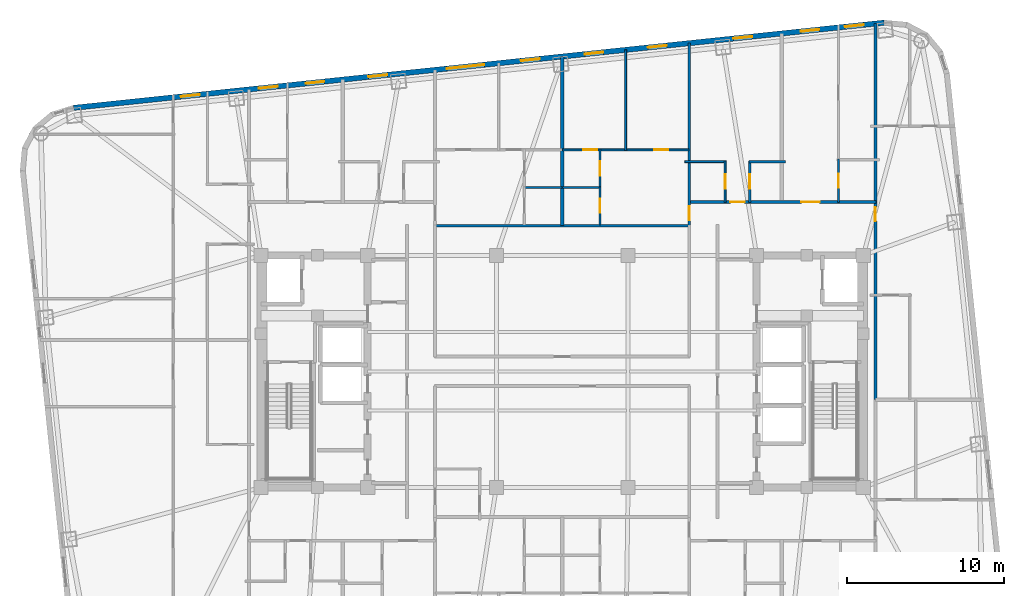
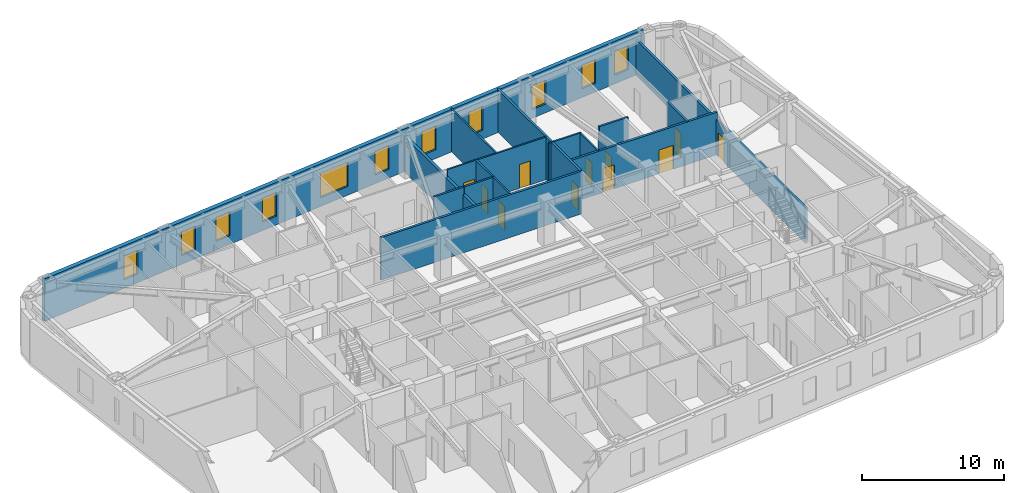
# One storey, part 8 of 11: 17 walls, 11 doors, 11 windows, 22 openings.
"""IFC4 building model written with IfcOpenShell, lengths in metres."""

from ifc_helpers import new_model, si_unit, direction, frame, frame_2d, origin, place, context, subcontext, project, spatial, rectangle, extrude, material, layer, layer_set, type_object, element, fill, save


model = new_model("IFC4")

# Units and contexts
model_context = context("Model", 3, precision=1e-05, world=origin(), true_north=direction((0.0, 1.0)))
body_context = subcontext(model_context, "Body", "Model", "MODEL_VIEW")
ifc_project = project(units=[si_unit("LENGTHUNIT", "METRE"), si_unit("AREAUNIT", "SQUARE_METRE"), si_unit("VOLUMEUNIT", "CUBIC_METRE"), si_unit("PLANEANGLEUNIT", "RADIAN"), si_unit("MASSUNIT", "GRAM", prefix="KILO")], contexts=[model_context])

# Site, building, storey
site_placement = place(None, origin())
site = spatial("IfcSite", under=ifc_project, at=site_placement, CompositionType="ELEMENT")
building_placement = place(site_placement, origin())
building = spatial("IfcBuilding", under=site, at=building_placement, Name="Voryun Gate Residences", CompositionType="ELEMENT")
storey_placement = place(building_placement, frame((0.0, 0.0, 175.5)))
storey = spatial("IfcBuildingStorey", under=building, at=storey_placement, Name="L43", CompositionType="ELEMENT", Elevation=175.5)

# Wall
ifc_material_1 = material(Name="Gypsum acoustic fireboard")
ifc_layer_1 = layer(ifc_material_1, 0.179931640625, Name="W_CORR_RATED_180")
ifc_layer_set_1 = layer_set([ifc_layer_1], Name="Gypsum acoustic fireboard")
wall_type_1 = type_object("IfcWallType", Name="W_CORR_RATED_180", PredefinedType="PARTITIONING", material=ifc_layer_set_1)
wall_1_placement = place(storey_placement, frame((-8.14990234375, 9.2900390625, 0.0), z_axis=(0.0, 0.0, 1.0), x_axis=(1.0, 0.0, 0.0)))
element("IfcWall", 1, at=wall_1_placement, inside=storey, type_object=wall_type_1, Name="Partition wall WP-L43-Z2N", PredefinedType="PARTITIONING", context=body_context, shape_type="SweptSolid", body=[
    extrude(rectangle(XDim=16.2998046875, YDim=0.179931640625, at=frame_2d((8.14990234375, 0.0))), origin(), (0.0, 0.0, 1.0), 3.64990234375),
])

# Wall, openings, doors
wall_2_placement = place(storey_placement, frame((8.080078125, 10.800048828125, 0.0), z_axis=(0.0, 0.0, 1.0), x_axis=(1.0, 0.0, 0.0)))
wall_2 = element("IfcWall", 2, at=wall_2_placement, inside=storey, type_object=wall_type_1, Name="Partition wall WP-L43-NCORR-E", PredefinedType="PARTITIONING", context=body_context, shape_type="SweptSolid", body=[
    extrude(rectangle(XDim=11.919921875, YDim=0.179931640625, at=frame_2d((5.9599609375, 0.0))), origin(), (0.0, 0.0, 1.0), 3.64990234375),
])
opening_1_placement = place(wall_2_placement, frame((2.6455078125, 0.0, 0.0)))
opening_1 = element("IfcOpeningElement", 3, at=opening_1_placement, cuts=wall_2, Name="Opening D-INT-2", PredefinedType="OPENING", context=body_context, shape_type="SweptSolid", body=[
    extrude(rectangle(XDim=0.89990234375, YDim=2.050048828125, at=frame_2d((0.449951171875, 1.02490234375))), frame((0.0, 0.099853515625, 0.0), z_axis=(0.0, -1.0, 0.0), x_axis=(1.0, 0.0, 0.0)), (0.0, 0.0, 1.0), 0.199951171875),
])
opening_2_placement = place(wall_2_placement, frame((7.178955078125, 0.0, 0.0)))
opening_2 = element("IfcOpeningElement", 4, at=opening_2_placement, cuts=wall_2, Name="Opening D-UNIT-1", PredefinedType="OPENING", context=body_context, shape_type="SweptSolid", body=[
    extrude(rectangle(XDim=1.14990234375, YDim=2.050048828125, at=frame_2d((0.574951171875, 1.02490234375))), frame((0.0, 0.099853515625, 0.0), z_axis=(0.0, -1.0, 0.0), x_axis=(1.0, 0.0, 0.0)), (0.0, 0.0, 1.0), 0.199951171875),
])
ifc_material_2 = material(Name="Architectural oak veneer")
door_type_1 = type_object("IfcDoorType", Name="DR_INT_BATH_900", OperationType="NOTDEFINED", PredefinedType="DOOR", material=ifc_material_2)
door_1_placement = place(opening_1_placement, origin())
door_1 = element("IfcDoor", 5, at=door_1_placement, inside=storey, type_object=door_type_1, Name="Door DR-L43-NENT-4", OperationType="SINGLE_SWING_RIGHT", OverallHeight=2.050048828125, OverallWidth=0.89990234375, PredefinedType="DOOR", context=body_context, shape_type="SweptSolid", body=[
    extrude(rectangle(XDim=0.89990234375, YDim=2.050048828125, at=frame_2d((0.449951171875, 1.02490234375))), frame((0.0, 0.02490234375, 0.0), z_axis=(0.0, -1.0, 0.0), x_axis=(1.0, 0.0, 0.0)), (0.0, 0.0, 1.0), 0.050048828125),
])
fill(opening_1, door_1)
ifc_material_3 = material(Name="Armoured timber-clad fire door", Category="wood")
door_type_2 = type_object("IfcDoorType", Name="DR_UNIT_ENTRY_1150", OperationType="NOTDEFINED", PredefinedType="DOOR", material=ifc_material_3)
door_2_placement = place(opening_2_placement, origin())
door_2 = element("IfcDoor", 6, at=door_2_placement, inside=storey, type_object=door_type_2, Name="Door DR-L43-NENT-5", OperationType="SINGLE_SWING_LEFT", OverallHeight=2.050048828125, OverallWidth=1.14990234375, PredefinedType="DOOR", context=body_context, shape_type="SweptSolid", body=[
    extrude(rectangle(XDim=1.14990234375, YDim=2.050048828125, at=frame_2d((0.574951171875, 1.02490234375))), frame((0.0, 0.02490234375, 0.0), z_axis=(0.0, -1.0, 0.0), x_axis=(1.0, 0.0, 0.0)), (0.0, 0.0, 1.0), 0.050048828125),
])
fill(opening_2, door_2)

# Wall, opening, door
wall_3_placement = place(storey_placement, frame((8.10009765625, 9.2900390625, 0.0), z_axis=(0.0, 0.0, 1.0), x_axis=(0.0, 1.0, 0.0)))
wall_3 = element("IfcWall", 7, at=wall_3_placement, inside=storey, type_object=wall_type_1, Name="Partition wall WP-L43-NZV-2", PredefinedType="PARTITIONING", context=body_context, shape_type="SweptSolid", body=[
    extrude(rectangle(XDim=11.63916015625, YDim=0.179931640625, at=frame_2d((5.819580078125, 0.0))), origin(), (0.0, 0.0, 1.0), 3.64990234375),
])
opening_3_placement = place(wall_3_placement, frame((0.349609375, 0.0, 0.0)))
opening_3 = element("IfcOpeningElement", 8, at=opening_3_placement, cuts=wall_3, Name="Opening D-INT-2", PredefinedType="OPENING", context=body_context, shape_type="SweptSolid", body=[
    extrude(rectangle(XDim=0.89990234375, YDim=2.050048828125, at=frame_2d((0.449951171875, 1.02490234375))), frame((0.0, 0.099853515625, 0.0), z_axis=(0.0, -1.0, 0.0), x_axis=(1.0, 0.0, 0.0)), (0.0, 0.0, 1.0), 0.199951171875),
])
door_3_placement = place(opening_3_placement, origin())
door_3 = element("IfcDoor", 9, at=door_3_placement, inside=storey, type_object=door_type_1, Name="Door DR-L43-NZENT-2", OperationType="SINGLE_SWING_RIGHT", OverallHeight=2.050048828125, OverallWidth=0.89990234375, PredefinedType="DOOR", context=body_context, shape_type="SweptSolid", body=[
    extrude(rectangle(XDim=0.89990234375, YDim=2.050048828125, at=frame_2d((0.449951171875, 1.02490234375))), frame((0.0, 0.02490234375, 0.0), z_axis=(0.0, -1.0, 0.0), x_axis=(1.0, 0.0, 0.0)), (0.0, 0.0, 1.0), 0.050048828125),
])
fill(opening_3, door_3)

wall_4_placement = place(storey_placement, frame((19.969970703125, -1.800048828125, 0.0), z_axis=(0.0, 0.0, 1.0), x_axis=(0.0, 1.0, 0.0)))
wall_4 = element("IfcWall", 10, at=wall_4_placement, inside=storey, type_object=wall_type_1, Name="Partition wall WP-L43-ECOR2", PredefinedType="PARTITIONING", context=body_context, shape_type="SweptSolid", body=[
    extrude(rectangle(XDim=23.976806640625, YDim=0.179931640625, at=frame_2d((11.98828125, 0.0))), origin(), (0.0, 0.0, 1.0), 3.0400390625),
])
opening_4_placement = place(wall_4_placement, frame((11.380126953125, 0.0, 0.0)))
opening_4 = element("IfcOpeningElement", 11, at=opening_4_placement, cuts=wall_4, Name="Opening D-INT-2", PredefinedType="OPENING", context=body_context, shape_type="SweptSolid", body=[
    extrude(rectangle(XDim=0.89990234375, YDim=2.050048828125, at=frame_2d((0.449951171875, 1.02490234375))), frame((0.0, 0.099853515625, 0.0), z_axis=(0.0, -1.0, 0.0), x_axis=(1.0, 0.0, 0.0)), (0.0, 0.0, 1.0), 0.199951171875),
])
door_4_placement = place(opening_4_placement, origin())
door_4 = element("IfcDoor", 12, at=door_4_placement, inside=storey, type_object=door_type_1, Name="Door DR-L43-EE2", OperationType="SINGLE_SWING_RIGHT", OverallHeight=2.050048828125, OverallWidth=0.89990234375, PredefinedType="DOOR", context=body_context, shape_type="SweptSolid", body=[
    extrude(rectangle(XDim=0.89990234375, YDim=2.050048828125, at=frame_2d((0.449951171875, 1.02490234375))), frame((0.0, 0.02490234375, 0.0), z_axis=(0.0, -1.0, 0.0), x_axis=(1.0, 0.0, 0.0)), (0.0, 0.0, 1.0), 0.050048828125),
])
fill(opening_4, door_4)

# Wall, openings, windows
ifc_material_4 = material(Name="Charcoal terracotta masonry", Category="masonry")
ifc_layer_2 = layer(ifc_material_4, 0.340087890625, Name="W_EXT_TERRACOTTA_340")
ifc_layer_set_2 = layer_set([ifc_layer_2], Name="Charcoal terracotta masonry")
wall_type_2 = type_object("IfcWallType", Name="W_EXT_TERRACOTTA_340", PredefinedType="ELEMENTEDWALL", material=ifc_layer_set_2)
wall_5_placement = place(storey_placement, frame((-31.155517578125, 16.80322265625, 0.0), z_axis=(0.0, 0.0, 1.0), x_axis=(0.99452209583, 0.104526555986, 0.0)))
wall_5 = element("IfcWall", 13, at=wall_5_placement, inside=storey, type_object=wall_type_2, Name="Exterior wall WEXT-L43-11", PredefinedType="ELEMENTEDWALL", context=body_context, shape_type="SweptSolid", body=[
    extrude(rectangle(XDim=51.966552734375, YDim=0.340087890625, at=frame_2d((25.9833984375, 0.0))), origin(), (0.0, 0.0, 1.0), 3.64990234375),
])
opening_5_placement = place(wall_5_placement, frame((23.93310546875, 0.0, 0.75)))
opening_5 = element("IfcOpeningElement", 14, at=opening_5_placement, cuts=wall_5, Name="Opening WN2", PredefinedType="OPENING", context=body_context, shape_type="SweptSolid", body=[
    extrude(rectangle(XDim=2.39990234375, YDim=2.10009765625, at=frame_2d((1.199951171875, 1.050048828125))), frame((0.0, 0.179931640625, 0.0), z_axis=(0.0, -1.0, 0.0), x_axis=(1.0, 0.0, 0.0)), (0.0, 0.0, 1.0), 0.360107421875),
])
opening_6_placement = place(wall_5_placement, frame((14.883544921875, 0.0, 0.75)))
opening_6 = element("IfcOpeningElement", 15, at=opening_6_placement, cuts=wall_5, Name="Opening WN6", PredefinedType="OPENING", context=body_context, shape_type="SweptSolid", body=[
    extrude(rectangle(XDim=1.199951171875, YDim=2.050048828125, at=frame_2d((0.60009765625, 1.02490234375))), frame((0.0, 0.179931640625, 0.0), z_axis=(0.0, -1.0, 0.0), x_axis=(1.0, 0.0, 0.0)), (0.0, 0.0, 1.0), 0.360107421875),
])
opening_7_placement = place(wall_5_placement, frame((11.882080078125, 0.0, 0.75)))
opening_7 = element("IfcOpeningElement", 16, at=opening_7_placement, cuts=wall_5, Name="Opening WN6", PredefinedType="OPENING", context=body_context, shape_type="SweptSolid", body=[
    extrude(rectangle(XDim=1.199951171875, YDim=2.050048828125, at=frame_2d((0.60009765625, 1.02490234375))), frame((0.0, 0.179931640625, 0.0), z_axis=(0.0, -1.0, 0.0), x_axis=(1.0, 0.0, 0.0)), (0.0, 0.0, 1.0), 0.360107421875),
])
opening_8_placement = place(wall_5_placement, frame((18.908935546875, 0.0, 0.75)))
opening_8 = element("IfcOpeningElement", 17, at=opening_8_placement, cuts=wall_5, Name="Opening WN6", PredefinedType="OPENING", context=body_context, shape_type="SweptSolid", body=[
    extrude(rectangle(XDim=1.199951171875, YDim=2.050048828125, at=frame_2d((0.60009765625, 1.02490234375))), frame((0.0, 0.179931640625, 0.0), z_axis=(0.0, -1.0, 0.0), x_axis=(1.0, 0.0, 0.0)), (0.0, 0.0, 1.0), 0.360107421875),
])
opening_9_placement = place(wall_5_placement, frame((42.300537109375, 0.0, 0.75)))
opening_9 = element("IfcOpeningElement", 18, at=opening_9_placement, cuts=wall_5, Name="Opening WN6", PredefinedType="OPENING", context=body_context, shape_type="SweptSolid", body=[
    extrude(rectangle(XDim=1.199951171875, YDim=2.050048828125, at=frame_2d((0.60009765625, 1.02490234375))), frame((0.0, 0.179931640625, 0.0), z_axis=(0.0, -1.0, 0.0), x_axis=(1.0, 0.0, 0.0)), (0.0, 0.0, 1.0), 0.360107421875),
])
opening_10_placement = place(wall_5_placement, frame((46.616455078125, 0.0, 0.75)))
opening_10 = element("IfcOpeningElement", 19, at=opening_10_placement, cuts=wall_5, Name="Opening WN6", PredefinedType="OPENING", context=body_context, shape_type="SweptSolid", body=[
    extrude(rectangle(XDim=1.199951171875, YDim=2.050048828125, at=frame_2d((0.60009765625, 1.02490234375))), frame((0.0, 0.179931640625, 0.0), z_axis=(0.0, -1.0, 0.0), x_axis=(1.0, 0.0, 0.0)), (0.0, 0.0, 1.0), 0.360107421875),
])
opening_11_placement = place(wall_5_placement, frame((49.45751953125, 0.0, 0.75)))
opening_11 = element("IfcOpeningElement", 20, at=opening_11_placement, cuts=wall_5, Name="Opening WN6", PredefinedType="OPENING", context=body_context, shape_type="SweptSolid", body=[
    extrude(rectangle(XDim=1.199951171875, YDim=2.050048828125, at=frame_2d((0.60009765625, 1.02490234375))), frame((0.0, 0.179931640625, 0.0), z_axis=(0.0, -1.0, 0.0), x_axis=(1.0, 0.0, 0.0)), (0.0, 0.0, 1.0), 0.360107421875),
])
opening_12_placement = place(wall_5_placement, frame((28.68359375, 0.0, 0.75)))
opening_12 = element("IfcOpeningElement", 21, at=opening_12_placement, cuts=wall_5, Name="Opening WN6", PredefinedType="OPENING", context=body_context, shape_type="SweptSolid", body=[
    extrude(rectangle(XDim=1.199951171875, YDim=2.050048828125, at=frame_2d((0.60009765625, 1.02490234375))), frame((0.0, 0.179931640625, 0.0), z_axis=(0.0, -1.0, 0.0), x_axis=(1.0, 0.0, 0.0)), (0.0, 0.0, 1.0), 0.360107421875),
])
opening_13_placement = place(wall_5_placement, frame((32.76611328125, 0.0, 0.75)))
opening_13 = element("IfcOpeningElement", 22, at=opening_13_placement, cuts=wall_5, Name="Opening WN6", PredefinedType="OPENING", context=body_context, shape_type="SweptSolid", body=[
    extrude(rectangle(XDim=1.199951171875, YDim=2.050048828125, at=frame_2d((0.60009765625, 1.02490234375))), frame((0.0, 0.179931640625, 0.0), z_axis=(0.0, -1.0, 0.0), x_axis=(1.0, 0.0, 0.0)), (0.0, 0.0, 1.0), 0.360107421875),
])
opening_14_placement = place(wall_5_placement, frame((36.828369140625, 0.0, 0.75)))
opening_14 = element("IfcOpeningElement", 23, at=opening_14_placement, cuts=wall_5, Name="Opening WN6", PredefinedType="OPENING", context=body_context, shape_type="SweptSolid", body=[
    extrude(rectangle(XDim=1.199951171875, YDim=2.050048828125, at=frame_2d((0.60009765625, 1.02490234375))), frame((0.0, 0.179931640625, 0.0), z_axis=(0.0, -1.0, 0.0), x_axis=(1.0, 0.0, 0.0)), (0.0, 0.0, 1.0), 0.360107421875),
])
opening_15_placement = place(wall_5_placement, frame((6.88427734375, 0.0, 0.75)))
opening_15 = element("IfcOpeningElement", 24, at=opening_15_placement, cuts=wall_5, Name="Opening WN6", PredefinedType="OPENING", context=body_context, shape_type="SweptSolid", body=[
    extrude(rectangle(XDim=1.199951171875, YDim=2.050048828125, at=frame_2d((0.60009765625, 1.02490234375))), frame((0.0, 0.179931640625, 0.0), z_axis=(0.0, -1.0, 0.0), x_axis=(1.0, 0.0, 0.0)), (0.0, 0.0, 1.0), 0.360107421875),
])
ifc_material_5 = material(Name="Laminated low-E glass", Category="glass")
window_type_1 = type_object("IfcWindowType", Name="WN_POD_SLOT_1200", PartitioningType="SINGLE_PANEL", PredefinedType="WINDOW", material=ifc_material_5)
window_1_placement = place(opening_6_placement, origin())
window_1 = element("IfcWindow", 25, at=window_1_placement, inside=storey, type_object=window_type_1, Name="Window WN-L43-DWFIX-01", OverallHeight=2.050048828125, OverallWidth=1.199951171875, PartitioningType="SINGLE_PANEL", PredefinedType="WINDOW", context=body_context, shape_type="SweptSolid", body=[
    extrude(rectangle(XDim=1.199951171875, YDim=2.050048828125, at=frame_2d((0.60009765625, 1.02490234375))), frame((0.0, 0.030029296875, 0.0), z_axis=(0.0, -1.0, 0.0), x_axis=(1.0, 0.0, 0.0)), (0.0, 0.0, 1.0), 0.06005859375),
])
fill(opening_6, window_1)
window_2_placement = place(opening_7_placement, origin())
window_2 = element("IfcWindow", 26, at=window_2_placement, inside=storey, type_object=window_type_1, Name="Window WN-L43-DWFIX-02", OverallHeight=2.050048828125, OverallWidth=1.199951171875, PartitioningType="SINGLE_PANEL", PredefinedType="WINDOW", context=body_context, shape_type="SweptSolid", body=[
    extrude(rectangle(XDim=1.199951171875, YDim=2.050048828125, at=frame_2d((0.60009765625, 1.02490234375))), frame((0.0, 0.030029296875, 0.0), z_axis=(0.0, -1.0, 0.0), x_axis=(1.0, 0.0, 0.0)), (0.0, 0.0, 1.0), 0.06005859375),
])
fill(opening_7, window_2)
window_3_placement = place(opening_8_placement, origin())
window_3 = element("IfcWindow", 27, at=window_3_placement, inside=storey, type_object=window_type_1, Name="Window WN-L43-DWFIX-03", OverallHeight=2.050048828125, OverallWidth=1.199951171875, PartitioningType="SINGLE_PANEL", PredefinedType="WINDOW", context=body_context, shape_type="SweptSolid", body=[
    extrude(rectangle(XDim=1.199951171875, YDim=2.050048828125, at=frame_2d((0.60009765625, 1.02490234375))), frame((0.0, 0.030029296875, 0.0), z_axis=(0.0, -1.0, 0.0), x_axis=(1.0, 0.0, 0.0)), (0.0, 0.0, 1.0), 0.06005859375),
])
fill(opening_8, window_3)
window_4_placement = place(opening_9_placement, origin())
window_4 = element("IfcWindow", 28, at=window_4_placement, inside=storey, type_object=window_type_1, Name="Window WN-L43-DWFIX-04", OverallHeight=2.050048828125, OverallWidth=1.199951171875, PartitioningType="SINGLE_PANEL", PredefinedType="WINDOW", context=body_context, shape_type="SweptSolid", body=[
    extrude(rectangle(XDim=1.199951171875, YDim=2.050048828125, at=frame_2d((0.60009765625, 1.02490234375))), frame((0.0, 0.030029296875, 0.0), z_axis=(0.0, -1.0, 0.0), x_axis=(1.0, 0.0, 0.0)), (0.0, 0.0, 1.0), 0.06005859375),
])
fill(opening_9, window_4)
window_5_placement = place(opening_10_placement, origin())
window_5 = element("IfcWindow", 29, at=window_5_placement, inside=storey, type_object=window_type_1, Name="Window WN-L43-DWFIX-05", OverallHeight=2.050048828125, OverallWidth=1.199951171875, PartitioningType="SINGLE_PANEL", PredefinedType="WINDOW", context=body_context, shape_type="SweptSolid", body=[
    extrude(rectangle(XDim=1.199951171875, YDim=2.050048828125, at=frame_2d((0.60009765625, 1.02490234375))), frame((0.0, 0.030029296875, 0.0), z_axis=(0.0, -1.0, 0.0), x_axis=(1.0, 0.0, 0.0)), (0.0, 0.0, 1.0), 0.06005859375),
])
fill(opening_10, window_5)
window_6_placement = place(opening_11_placement, origin())
window_6 = element("IfcWindow", 30, at=window_6_placement, inside=storey, type_object=window_type_1, Name="Window WN-L43-DWFIX-06", OverallHeight=2.050048828125, OverallWidth=1.199951171875, PartitioningType="SINGLE_PANEL", PredefinedType="WINDOW", context=body_context, shape_type="SweptSolid", body=[
    extrude(rectangle(XDim=1.199951171875, YDim=2.050048828125, at=frame_2d((0.60009765625, 1.02490234375))), frame((0.0, 0.030029296875, 0.0), z_axis=(0.0, -1.0, 0.0), x_axis=(1.0, 0.0, 0.0)), (0.0, 0.0, 1.0), 0.06005859375),
])
fill(opening_11, window_6)
window_7_placement = place(opening_12_placement, origin())
window_7 = element("IfcWindow", 31, at=window_7_placement, inside=storey, type_object=window_type_1, Name="Window WN-L43-DWFIX-07", OverallHeight=2.050048828125, OverallWidth=1.199951171875, PartitioningType="SINGLE_PANEL", PredefinedType="WINDOW", context=body_context, shape_type="SweptSolid", body=[
    extrude(rectangle(XDim=1.199951171875, YDim=2.050048828125, at=frame_2d((0.60009765625, 1.02490234375))), frame((0.0, 0.030029296875, 0.0), z_axis=(0.0, -1.0, 0.0), x_axis=(1.0, 0.0, 0.0)), (0.0, 0.0, 1.0), 0.06005859375),
])
fill(opening_12, window_7)
window_8_placement = place(opening_13_placement, origin())
window_8 = element("IfcWindow", 32, at=window_8_placement, inside=storey, type_object=window_type_1, Name="Window WN-L43-DWFIX-08", OverallHeight=2.050048828125, OverallWidth=1.199951171875, PartitioningType="SINGLE_PANEL", PredefinedType="WINDOW", context=body_context, shape_type="SweptSolid", body=[
    extrude(rectangle(XDim=1.199951171875, YDim=2.050048828125, at=frame_2d((0.60009765625, 1.02490234375))), frame((0.0, 0.030029296875, 0.0), z_axis=(0.0, -1.0, 0.0), x_axis=(1.0, 0.0, 0.0)), (0.0, 0.0, 1.0), 0.06005859375),
])
fill(opening_13, window_8)
window_9_placement = place(opening_14_placement, origin())
window_9 = element("IfcWindow", 33, at=window_9_placement, inside=storey, type_object=window_type_1, Name="Window WN-L43-DWFIX-09", OverallHeight=2.050048828125, OverallWidth=1.199951171875, PartitioningType="SINGLE_PANEL", PredefinedType="WINDOW", context=body_context, shape_type="SweptSolid", body=[
    extrude(rectangle(XDim=1.199951171875, YDim=2.050048828125, at=frame_2d((0.60009765625, 1.02490234375))), frame((0.0, 0.030029296875, 0.0), z_axis=(0.0, -1.0, 0.0), x_axis=(1.0, 0.0, 0.0)), (0.0, 0.0, 1.0), 0.06005859375),
])
fill(opening_14, window_9)
window_10_placement = place(opening_15_placement, origin())
window_10 = element("IfcWindow", 34, at=window_10_placement, inside=storey, type_object=window_type_1, Name="Window WN-L43-DWFIX-23", OverallHeight=2.050048828125, OverallWidth=1.199951171875, PartitioningType="SINGLE_PANEL", PredefinedType="WINDOW", context=body_context, shape_type="SweptSolid", body=[
    extrude(rectangle(XDim=1.199951171875, YDim=2.050048828125, at=frame_2d((0.60009765625, 1.02490234375))), frame((0.0, 0.030029296875, 0.0), z_axis=(0.0, -1.0, 0.0), x_axis=(1.0, 0.0, 0.0)), (0.0, 0.0, 1.0), 0.06005859375),
])
fill(opening_15, window_10)
ifc_material_6 = material(Name="Laminated low-E glass", Category="glass")
window_type_2 = type_object("IfcWindowType", Name="WN_RES_WIDE_2400", PartitioningType="SINGLE_PANEL", PredefinedType="WINDOW", material=ifc_material_6)
window_11_placement = place(opening_5_placement, origin())
window_11 = element("IfcWindow", 35, at=window_11_placement, inside=storey, type_object=window_type_2, Name="Window WN-WEXT-L43-11-02", OverallHeight=2.10009765625, OverallWidth=2.39990234375, PartitioningType="SINGLE_PANEL", PredefinedType="WINDOW", context=body_context, shape_type="SweptSolid", body=[
    extrude(rectangle(XDim=2.39990234375, YDim=2.10009765625, at=frame_2d((1.199951171875, 1.050048828125))), frame((0.0, 0.030029296875, 0.0), z_axis=(0.0, -1.0, 0.0), x_axis=(1.0, 0.0, 0.0)), (0.0, 0.0, 1.0), 0.06005859375),
])
fill(opening_5, window_11)

# Wall
ifc_material_7 = material(Name="Concrete C40/50", Category="concrete")
ifc_layer_3 = layer(ifc_material_7, 0.219970703125, Name="W_PARTY_ACOUSTIC_220")
ifc_layer_set_3 = layer_set([ifc_layer_3], Name="Concrete C40/50")
wall_type_3 = type_object("IfcWallType", Name="W_PARTY_ACOUSTIC_220", PredefinedType="PARTITIONING", material=ifc_layer_set_3)
wall_6_placement = place(storey_placement, frame((0.0, 9.2900390625, 0.0), z_axis=(0.0, 0.0, 1.0), x_axis=(0.0, 1.0, 0.0)))
element("IfcWall", 36, at=wall_6_placement, inside=storey, type_object=wall_type_3, Name="Partition wall WP-L43-NZMID", PredefinedType="PARTITIONING", context=body_context, shape_type="SweptSolid", body=[
    extrude(rectangle(XDim=10.787841796875, YDim=0.219970703125, at=frame_2d((5.39404296875, 0.0))), origin(), (0.0, 0.0, 1.0), 3.0400390625),
])

# Wall, opening, door
ifc_material_8 = material(Name="Gypsum acoustic partition")
ifc_layer_4 = layer(ifc_material_8, 0.125, Name="W_UNIT_PART_125")
ifc_layer_set_4 = layer_set([ifc_layer_4], Name="Gypsum acoustic partition")
wall_type_4 = type_object("IfcWallType", Name="W_UNIT_PART_125", PredefinedType="PARTITIONING", material=ifc_layer_set_4)
wall_7_placement = place(storey_placement, frame((10.389892578125, 10.780029296875, 0.0), z_axis=(0.0, 0.0, 1.0), x_axis=(0.0, 1.0, 0.0)))
wall_7 = element("IfcWall", 37, at=wall_7_placement, inside=storey, type_object=wall_type_4, Name="Partition wall WP-L43-N4-CVK", PredefinedType="PARTITIONING", context=body_context, shape_type="SweptSolid", body=[
    extrude(rectangle(XDim=2.64990234375, YDim=0.125, at=frame_2d((1.324951171875, 0.0))), origin(), (0.0, 0.0, 1.0), 3.64990234375),
])
opening_16_placement = place(wall_7_placement, frame((0.875, 0.0, 0.0)))
opening_16 = element("IfcOpeningElement", 38, at=opening_16_placement, cuts=wall_7, Name="Opening D-INT-2", PredefinedType="OPENING", context=body_context, shape_type="SweptSolid", body=[
    extrude(rectangle(XDim=0.89990234375, YDim=2.050048828125, at=frame_2d((0.449951171875, 1.02490234375))), frame((0.0, 0.072509765625, 0.0), z_axis=(0.0, -1.0, 0.0), x_axis=(1.0, 0.0, 0.0)), (0.0, 0.0, 1.0), 0.14501953125),
])
door_5_placement = place(opening_16_placement, origin())
door_5 = element("IfcDoor", 39, at=door_5_placement, inside=storey, type_object=door_type_1, Name="Door DR-L43-N4-DK", OperationType="SINGLE_SWING_LEFT", OverallHeight=2.050048828125, OverallWidth=0.89990234375, PredefinedType="DOOR", context=body_context, shape_type="SweptSolid", body=[
    extrude(rectangle(XDim=0.89990234375, YDim=2.050048828125, at=frame_2d((0.449951171875, 1.02490234375))), frame((0.0, 0.02490234375, 0.0), z_axis=(0.0, -1.0, 0.0), x_axis=(1.0, 0.0, 0.0)), (0.0, 0.0, 1.0), 0.050048828125),
])
fill(opening_16, door_5)

# Wall
wall_8_placement = place(storey_placement, frame((7.820068359375, 13.3701171875, 0.0), z_axis=(0.0, 0.0, 1.0), x_axis=(1.0, 0.0, 0.0)))
element("IfcWall", 40, at=wall_8_placement, inside=storey, type_object=wall_type_4, Name="Partition wall WP-L43-N4-CHK", PredefinedType="PARTITIONING", context=body_context, shape_type="SweptSolid", body=[
    extrude(rectangle(XDim=2.6298828125, YDim=0.125, at=frame_2d((1.31494140625, 0.0))), origin(), (0.0, 0.0, 1.0), 3.64990234375),
])

# Wall, openings, doors
wall_9_placement = place(storey_placement, frame((0.02001953125, 14.1298828125, 0.0), z_axis=(0.0, 0.0, 1.0), x_axis=(1.0, 0.0, 0.0)))
wall_9 = element("IfcWall", 41, at=wall_9_placement, inside=storey, type_object=wall_type_4, Name="Partition wall WP-L43-NC2-HZ", PredefinedType="PARTITIONING", context=body_context, shape_type="SweptSolid", body=[
    extrude(rectangle(XDim=8.06005859375, YDim=0.125, at=frame_2d((4.030029296875, 0.0))), origin(), (0.0, 0.0, 1.0), 3.64990234375),
])
opening_17_placement = place(wall_9_placement, frame((1.3232421875, 0.0, 0.0)))
opening_17 = element("IfcOpeningElement", 42, at=opening_17_placement, cuts=wall_9, Name="Opening D-INT-2", PredefinedType="OPENING", context=body_context, shape_type="SweptSolid", body=[
    extrude(rectangle(XDim=0.89990234375, YDim=2.050048828125, at=frame_2d((0.449951171875, 1.02490234375))), frame((0.0, 0.072509765625, 0.0), z_axis=(0.0, -1.0, 0.0), x_axis=(1.0, 0.0, 0.0)), (0.0, 0.0, 1.0), 0.14501953125),
])
opening_18_placement = place(wall_9_placement, frame((5.8369140625, 0.0, 0.0)))
opening_18 = element("IfcOpeningElement", 43, at=opening_18_placement, cuts=wall_9, Name="Opening D-INT-2", PredefinedType="OPENING", context=body_context, shape_type="SweptSolid", body=[
    extrude(rectangle(XDim=0.89990234375, YDim=2.050048828125, at=frame_2d((0.449951171875, 1.02490234375))), frame((0.0, 0.072509765625, 0.0), z_axis=(0.0, -1.0, 0.0), x_axis=(1.0, 0.0, 0.0)), (0.0, 0.0, 1.0), 0.14501953125),
])
door_6_placement = place(opening_17_placement, origin())
door_6 = element("IfcDoor", 44, at=door_6_placement, inside=storey, type_object=door_type_1, Name="Door DR-L43-NC2-DMB", OperationType="SINGLE_SWING_LEFT", OverallHeight=2.050048828125, OverallWidth=0.89990234375, PredefinedType="DOOR", context=body_context, shape_type="SweptSolid", body=[
    extrude(rectangle(XDim=0.89990234375, YDim=2.050048828125, at=frame_2d((0.449951171875, 1.02490234375))), frame((0.0, 0.02490234375, 0.0), z_axis=(0.0, -1.0, 0.0), x_axis=(1.0, 0.0, 0.0)), (0.0, 0.0, 1.0), 0.050048828125),
])
fill(opening_17, door_6)
door_7_placement = place(opening_18_placement, origin())
door_7 = element("IfcDoor", 45, at=door_7_placement, inside=storey, type_object=door_type_1, Name="Door DR-L43-NC2-DBD2", OperationType="SINGLE_SWING_RIGHT", OverallHeight=2.050048828125, OverallWidth=0.89990234375, PredefinedType="DOOR", context=body_context, shape_type="SweptSolid", body=[
    extrude(rectangle(XDim=0.89990234375, YDim=2.050048828125, at=frame_2d((0.449951171875, 1.02490234375))), frame((0.0, 0.02490234375, 0.0), z_axis=(0.0, -1.0, 0.0), x_axis=(1.0, 0.0, 0.0)), (0.0, 0.0, 1.0), 0.050048828125),
])
fill(opening_18, door_7)

# Wall, opening, door
wall_10_placement = place(storey_placement, frame((2.409912109375, 9.35009765625, 0.0), z_axis=(0.0, 0.0, 1.0), x_axis=(0.0, 1.0, 0.0)))
wall_10 = element("IfcWall", 46, at=wall_10_placement, inside=storey, type_object=wall_type_4, Name="Partition wall WP-L43-NC2-VK1", PredefinedType="PARTITIONING", context=body_context, shape_type="SweptSolid", body=[
    extrude(rectangle(XDim=2.409912109375, YDim=0.125, at=frame_2d((1.205078125, 0.0))), origin(), (0.0, 0.0, 1.0), 3.64990234375),
])
opening_19_placement = place(wall_10_placement, frame((0.7548828125, 0.0, 0.0)))
opening_19 = element("IfcOpeningElement", 47, at=opening_19_placement, cuts=wall_10, Name="Opening D-INT-2", PredefinedType="OPENING", context=body_context, shape_type="SweptSolid", body=[
    extrude(rectangle(XDim=0.89990234375, YDim=2.050048828125, at=frame_2d((0.449951171875, 1.02490234375))), frame((0.0, 0.072509765625, 0.0), z_axis=(0.0, -1.0, 0.0), x_axis=(1.0, 0.0, 0.0)), (0.0, 0.0, 1.0), 0.14501953125),
])
door_8_placement = place(opening_19_placement, origin())
door_8 = element("IfcDoor", 48, at=door_8_placement, inside=storey, type_object=door_type_1, Name="Door DR-L43-NC2-DK", OperationType="SINGLE_SWING_LEFT", OverallHeight=2.050048828125, OverallWidth=0.89990234375, PredefinedType="DOOR", context=body_context, shape_type="SweptSolid", body=[
    extrude(rectangle(XDim=0.89990234375, YDim=2.050048828125, at=frame_2d((0.449951171875, 1.02490234375))), frame((0.0, 0.02490234375, 0.0), z_axis=(0.0, -1.0, 0.0), x_axis=(1.0, 0.0, 0.0)), (0.0, 0.0, 1.0), 0.050048828125),
])
fill(opening_19, door_8)

# Wall
wall_11_placement = place(storey_placement, frame((4.050048828125, 14.090087890625, 0.0), z_axis=(0.0, 0.0, 1.0), x_axis=(0.0, 1.0, 0.0)))
element("IfcWall", 49, at=wall_11_placement, inside=storey, type_object=wall_type_4, Name="Partition wall WP-L43-NC2-VBD", PredefinedType="PARTITIONING", context=body_context, shape_type="SweptSolid", body=[
    extrude(rectangle(XDim=6.413330078125, YDim=0.125, at=frame_2d((3.20654296875, 0.0))), origin(), (0.0, 0.0, 1.0), 3.64990234375),
])

# Wall, opening, door
ifc_material_9 = material(Name="Gypsum moisture-resistant partition")
ifc_layer_5 = layer(ifc_material_9, 0.14990234375, Name="W_WET_PLUMB_150")
ifc_layer_set_5 = layer_set([ifc_layer_5], Name="Gypsum moisture-resistant partition")
wall_type_5 = type_object("IfcWallType", Name="W_WET_PLUMB_150", PredefinedType="PLUMBINGWALL", material=ifc_layer_set_5)
wall_12_placement = place(storey_placement, frame((11.9609375, 10.780029296875, 0.0), z_axis=(0.0, 0.0, 1.0), x_axis=(0.0, 1.0, 0.0)))
wall_12 = element("IfcWall", 50, at=wall_12_placement, inside=storey, type_object=wall_type_5, Name="Partition wall WP-L43-N4-CVB", PredefinedType="PLUMBINGWALL", context=body_context, shape_type="SweptSolid", body=[
    extrude(rectangle(XDim=2.64990234375, YDim=0.14990234375, at=frame_2d((1.324951171875, 0.0))), origin(), (0.0, 0.0, 1.0), 3.0400390625),
])
opening_20_placement = place(wall_12_placement, frame((0.875, 0.0, 0.0)))
opening_20 = element("IfcOpeningElement", 51, at=opening_20_placement, cuts=wall_12, Name="Opening D-INT-2", PredefinedType="OPENING", context=body_context, shape_type="SweptSolid", body=[
    extrude(rectangle(XDim=0.89990234375, YDim=2.050048828125, at=frame_2d((0.449951171875, 1.02490234375))), frame((0.0, 0.0849609375, 0.0), z_axis=(0.0, -1.0, 0.0), x_axis=(1.0, 0.0, 0.0)), (0.0, 0.0, 1.0), 0.169921875),
])
door_9_placement = place(opening_20_placement, origin())
door_9 = element("IfcDoor", 52, at=door_9_placement, inside=storey, type_object=door_type_1, Name="Door DR-L43-N4-DB", OperationType="SINGLE_SWING_RIGHT", OverallHeight=2.050048828125, OverallWidth=0.89990234375, PredefinedType="DOOR", context=body_context, shape_type="SweptSolid", body=[
    extrude(rectangle(XDim=0.89990234375, YDim=2.050048828125, at=frame_2d((0.449951171875, 1.02490234375))), frame((0.0, 0.02490234375, 0.0), z_axis=(0.0, -1.0, 0.0), x_axis=(1.0, 0.0, 0.0)), (0.0, 0.0, 1.0), 0.050048828125),
])
fill(opening_20, door_9)

# Wall
wall_13_placement = place(storey_placement, frame((11.90087890625, 13.3701171875, 0.0), z_axis=(0.0, 0.0, 1.0), x_axis=(1.0, 0.0, 0.0)))
element("IfcWall", 53, at=wall_13_placement, inside=storey, type_object=wall_type_5, Name="Partition wall WP-L43-N4-CHB", PredefinedType="PLUMBINGWALL", context=body_context, shape_type="SweptSolid", body=[
    extrude(rectangle(XDim=2.34912109375, YDim=0.14990234375, at=frame_2d((1.174560546875, 0.0))), origin(), (0.0, 0.0, 1.0), 3.64990234375),
])

# Wall, opening, door
wall_14_placement = place(storey_placement, frame((17.618896484375, 10.780029296875, 0.0), z_axis=(0.0, 0.0, 1.0), x_axis=(0.0, 1.0, 0.0)))
wall_14 = element("IfcWall", 54, at=wall_14_placement, inside=storey, type_object=wall_type_5, Name="Partition wall WP-L43-N5-SVT1", PredefinedType="PLUMBINGWALL", context=body_context, shape_type="SweptSolid", body=[
    extrude(rectangle(XDim=2.760009765625, YDim=0.14990234375, at=frame_2d((1.3798828125, 0.0))), origin(), (0.0, 0.0, 1.0), 3.64990234375),
])
opening_21_placement = place(wall_14_placement, frame((0.929931640625, 0.0, 0.0)))
opening_21 = element("IfcOpeningElement", 55, at=opening_21_placement, cuts=wall_14, Name="Opening D-INT-2", PredefinedType="OPENING", context=body_context, shape_type="SweptSolid", body=[
    extrude(rectangle(XDim=0.89990234375, YDim=2.050048828125, at=frame_2d((0.449951171875, 1.02490234375))), frame((0.0, 0.0849609375, 0.0), z_axis=(0.0, -1.0, 0.0), x_axis=(1.0, 0.0, 0.0)), (0.0, 0.0, 1.0), 0.169921875),
])
door_10_placement = place(opening_21_placement, origin())
door_10 = element("IfcDoor", 56, at=door_10_placement, inside=storey, type_object=door_type_1, Name="Door DR-L43-N5-DB", OperationType="SINGLE_SWING_LEFT", OverallHeight=2.050048828125, OverallWidth=0.89990234375, PredefinedType="DOOR", context=body_context, shape_type="SweptSolid", body=[
    extrude(rectangle(XDim=0.89990234375, YDim=2.050048828125, at=frame_2d((0.449951171875, 1.02490234375))), frame((0.0, 0.02490234375, 0.0), z_axis=(0.0, -1.0, 0.0), x_axis=(1.0, 0.0, 0.0)), (0.0, 0.0, 1.0), 0.050048828125),
])
fill(opening_21, door_10)

# Wall
wall_15_placement = place(storey_placement, frame((-2.449951171875, 11.72998046875, 0.0), z_axis=(0.0, 0.0, 1.0), x_axis=(1.0, 0.0, 0.0)))
element("IfcWall", 57, at=wall_15_placement, inside=storey, type_object=wall_type_5, Name="Partition wall WP-L43-NC1-HKB", PredefinedType="PLUMBINGWALL", context=body_context, shape_type="SweptSolid", body=[
    extrude(rectangle(XDim=2.429931640625, YDim=0.14990234375, at=frame_2d((1.21484375, 0.0))), origin(), (0.0, 0.0, 1.0), 3.64990234375),
])

# Wall, opening, door
wall_16_placement = place(storey_placement, frame((2.409912109375, 11.699951171875, 0.0), z_axis=(0.0, 0.0, 1.0), x_axis=(0.0, 1.0, 0.0)))
wall_16 = element("IfcWall", 58, at=wall_16_placement, inside=storey, type_object=wall_type_5, Name="Partition wall WP-L43-NC2-VK2", PredefinedType="PLUMBINGWALL", context=body_context, shape_type="SweptSolid", body=[
    extrude(rectangle(XDim=2.469970703125, YDim=0.14990234375, at=frame_2d((1.23486328125, 0.0))), origin(), (0.0, 0.0, 1.0), 3.64990234375),
])
opening_22_placement = place(wall_16_placement, frame((0.784912109375, 0.0, 0.0)))
opening_22 = element("IfcOpeningElement", 59, at=opening_22_placement, cuts=wall_16, Name="Opening D-INT-2", PredefinedType="OPENING", context=body_context, shape_type="SweptSolid", body=[
    extrude(rectangle(XDim=0.89990234375, YDim=2.050048828125, at=frame_2d((0.449951171875, 1.02490234375))), frame((0.0, 0.0849609375, 0.0), z_axis=(0.0, -1.0, 0.0), x_axis=(1.0, 0.0, 0.0)), (0.0, 0.0, 1.0), 0.169921875),
])
door_11_placement = place(opening_22_placement, origin())
door_11 = element("IfcDoor", 60, at=door_11_placement, inside=storey, type_object=door_type_1, Name="Door DR-L43-NC2-DB", OperationType="SINGLE_SWING_RIGHT", OverallHeight=2.050048828125, OverallWidth=0.89990234375, PredefinedType="DOOR", context=body_context, shape_type="SweptSolid", body=[
    extrude(rectangle(XDim=0.89990234375, YDim=2.050048828125, at=frame_2d((0.449951171875, 1.02490234375))), frame((0.0, 0.02490234375, 0.0), z_axis=(0.0, -1.0, 0.0), x_axis=(1.0, 0.0, 0.0)), (0.0, 0.0, 1.0), 0.050048828125),
])
fill(opening_22, door_11)

# Wall
wall_17_placement = place(storey_placement, frame((0.02001953125, 11.72998046875, 0.0), z_axis=(0.0, 0.0, 1.0), x_axis=(1.0, 0.0, 0.0)))
element("IfcWall", 61, at=wall_17_placement, inside=storey, type_object=wall_type_5, Name="Partition wall WP-L43-NC2-HKB", PredefinedType="PLUMBINGWALL", context=body_context, shape_type="SweptSolid", body=[
    extrude(rectangle(XDim=2.429931640625, YDim=0.14990234375, at=frame_2d((1.21484375, 0.0))), origin(), (0.0, 0.0, 1.0), 3.64990234375),
])

save(model, "model.ifc")
